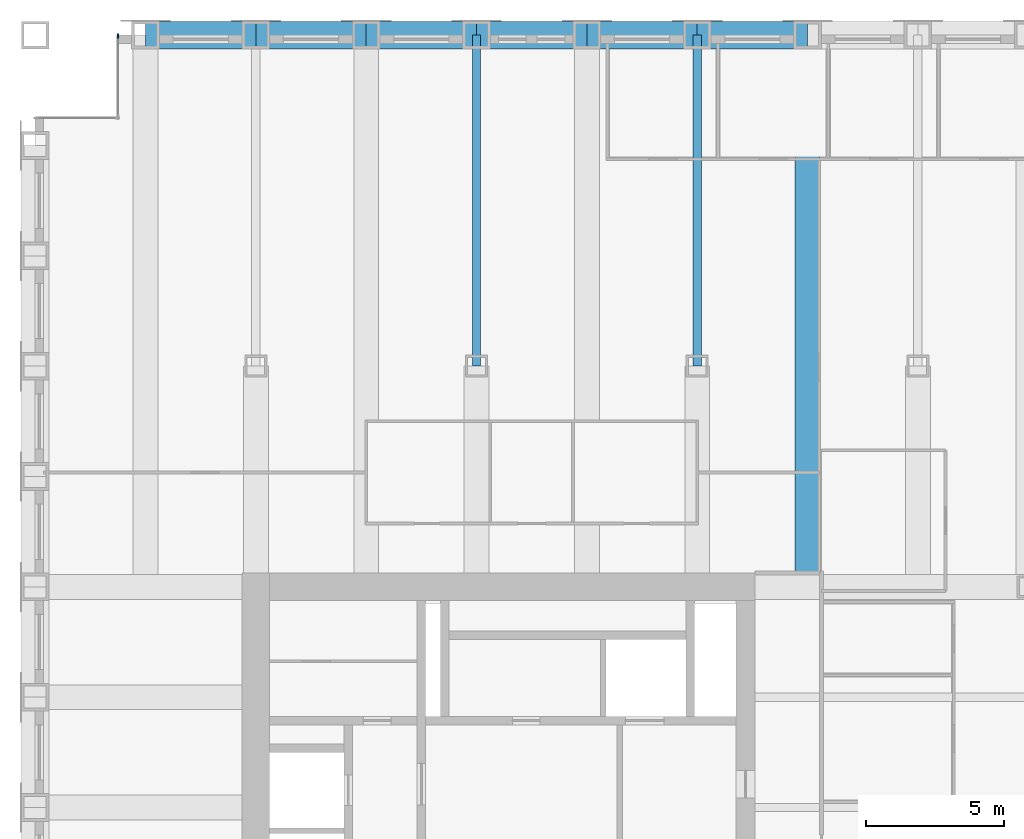
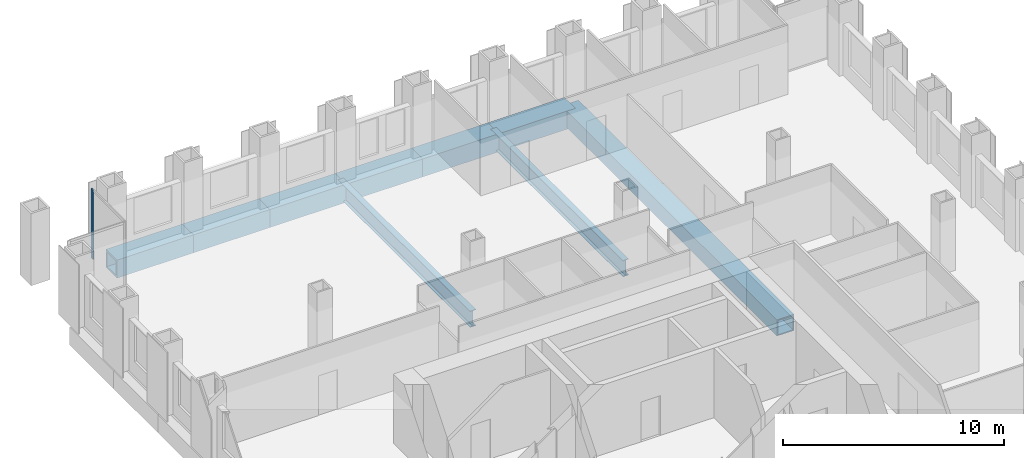
# One storey, part 6 of 13: 9 beams, 1 member, 1 element without a shape of its own.
"""IFC4 building model written with IfcOpenShell, lengths in metres."""

from ifc_helpers import new_model, si_unit, direction, frame, origin, origin_2d, place, context, subcontext, project, spatial, rectangle, hollow_rectangle, i_section, extrude, material, material_profile, profile_set, type_object, element, aggregate, save


model = new_model("IFC4")

# Units and contexts
model_context = context("Model", 3, precision=1e-05, world=origin(), true_north=direction((0.0, 1.0)))
body_context = subcontext(model_context, "Body", "Model", "MODEL_VIEW")
ifc_project = project(units=[si_unit("LENGTHUNIT", "METRE"), si_unit("AREAUNIT", "SQUARE_METRE"), si_unit("VOLUMEUNIT", "CUBIC_METRE"), si_unit("PLANEANGLEUNIT", "RADIAN"), si_unit("MASSUNIT", "GRAM", prefix="KILO")], contexts=[model_context])

# Site, building, storey
site_placement = place(None, origin())
site = spatial("IfcSite", under=ifc_project, at=site_placement, CompositionType="ELEMENT")
building_placement = place(site_placement, origin())
building = spatial("IfcBuilding", under=site, at=building_placement, Name="Rimbunsela Tower", CompositionType="ELEMENT")
storey_placement = place(building_placement, frame((0.0, 0.0, 214.199951171875)))
storey = spatial("IfcBuildingStorey", under=building, at=storey_placement, Name="L51", CompositionType="ELEMENT", Elevation=214.199951171875)

# Beams
ifc_material_1 = material(Name="Steel BJ 55 (fy 410 MPa)", Category="steel")
ifc_material_profile_1 = material_profile(ifc_material_1, hollow_rectangle(XDim=1.0, YDim=1.0, WallThickness=0.10009765625, at=origin_2d()), Name="BOX 1000x1000x100")
ifc_profile_set_1 = profile_set([ifc_material_profile_1], Name="Steel BJ 55 (fy 410 MPa)")
beam_type_1 = type_object("IfcBeamType", Name="Beam BOX 1000x1000x100", PredefinedType="BEAM", material=ifc_profile_set_1)
for number, where, z_axis, x_axis, name in (
    (1, (14.0, 56.0, -0.64990234375), (1.0, 0.0, 0.0), (0.0, 1.0, 0.0), "Beam B3 L51"),
    (2, (18.0, 56.0, -0.64990234375), (1.0, 0.0, 0.0), (0.0, 1.0, 0.0), "Beam B3 L51"),
    (3, (22.0, 56.0, -0.64990234375), (1.0, 0.0, 0.0), (0.0, 1.0, 0.0), "Beam B3 L51"),
    (4, (26.0, 56.0, -0.64990234375), (1.0, 0.0, 0.0), (0.0, 1.0, 0.0), "Beam B3 L51"),
    (5, (30.0, 56.0, -0.64990234375), (1.0, 0.0, 0.0), (0.0, 1.0, 0.0), "Beam B3 L51"),
    (6, (34.0, 56.0, -0.64990234375), (1.0, 0.0, 0.0), (0.0, 1.0, 0.0), "Beam B3 L51"),
):
    element("IfcBeam", number, at=place(storey_placement, frame(where, z_axis=z_axis, x_axis=x_axis)), inside=storey, type_object=beam_type_1, Name=name, PredefinedType="BEAM", context=body_context, shape_type="SweptSolid", body=[
        extrude(hollow_rectangle(XDim=1.0, YDim=1.0, WallThickness=0.10009765625, at=origin_2d()), origin(), (0.0, 0.0, 1.0), 4.0),
    ])
ifc_material_2 = material(Name="Steel BJ 55 (fy 410 MPa)", Category="steel")
ifc_material_profile_2 = material_profile(ifc_material_2, hollow_rectangle(XDim=0.89990234375, YDim=0.89990234375, WallThickness=0.06005859375, at=origin_2d()), Name="BOX 900x900x60")
ifc_profile_set_2 = profile_set([ifc_material_profile_2], Name="Steel BJ 55 (fy 410 MPa)")
beam_type_2 = type_object("IfcBeamType", Name="Beam BOX 900x900x60", PredefinedType="BEAM", material=ifc_profile_set_2)
beam_placement = place(storey_placement, frame((38.0, 36.449951171875, -0.599853515625), z_axis=(0.0, 1.0, 0.0), x_axis=(-1.0, 0.0, 0.0)))
element("IfcBeam", 7, at=beam_placement, inside=storey, type_object=beam_type_2, Name="Beam B1 L51", PredefinedType="BEAM", context=body_context, shape_type="SweptSolid", body=[
    extrude(hollow_rectangle(XDim=0.89990234375, YDim=0.89990234375, WallThickness=0.06005859375, at=origin_2d()), origin(), (0.0, 0.0, 1.0), 19.550048828125),
])
ifc_material_3 = material(Name="Steel BJ 55 (fy 410 MPa)", Category="steel")
ifc_material_profile_3 = material_profile(ifc_material_3, i_section(OverallWidth=0.300048828125, OverallDepth=0.89990234375, WebThickness=0.01611328125, FlangeThickness=0.028076171875, FilletRadius=0.028076171875, at=origin_2d()), Name="H 900x300x16x28")
ifc_profile_set_3 = profile_set([ifc_material_profile_3], Name="Steel BJ 55 (fy 410 MPa)")
beam_type_3 = type_object("IfcBeamType", Name="Beam H 900x300x16x28", PredefinedType="BEAM", material=ifc_profile_set_3)
for number, where, z_axis, x_axis, name in (
    (8, (26.0, 44.0, -0.599853515625), (0.0, 1.0, 0.0), (-1.0, 0.0, 0.0), "Beam B2 L51"),
    (9, (34.0, 44.0, -0.599853515625), (0.0, 1.0, 0.0), (-1.0, 0.0, 0.0), "Beam B2 L51"),
):
    element("IfcBeam", number, at=place(storey_placement, frame(where, z_axis=z_axis, x_axis=x_axis)), inside=storey, type_object=beam_type_3, Name=name, PredefinedType="BEAM", context=body_context, shape_type="SweptSolid", body=[
        extrude(i_section(OverallWidth=0.300048828125, OverallDepth=0.89990234375, WebThickness=0.01611328125, FlangeThickness=0.028076171875, FilletRadius=0.028076171875, at=origin_2d()), origin(), (0.0, 0.0, 1.0), 12.0),
    ])

# Curtain wall, member
ifc_material_4 = material(Name="Aluminium curtain wall", Category="aluminium")
curtain_wall_type = type_object("IfcCurtainWallType", Name="Corner glazing", PredefinedType="USERDEFINED", material=ifc_material_4)
curtain_wall_placement = place(storey_placement, origin())
curtain_wall = element("IfcCurtainWall", 10, at=curtain_wall_placement, inside=storey, type_object=curtain_wall_type, Name="Corner glazing L51", ObjectType="CORNER GLAZING", PredefinedType="USERDEFINED")
ifc_material_5 = material(Name="Aluminium mullion", Category="aluminium")
ifc_material_profile_4 = material_profile(ifc_material_5, rectangle(XDim=0.06005859375, YDim=0.159912109375, at=origin_2d()), Name="Mullion 60x160")
ifc_profile_set_4 = profile_set([ifc_material_profile_4], Name="Aluminium mullion")
member_type = type_object("IfcMemberType", Name="Curtain wall mullion 60x160", PredefinedType="MULLION", material=ifc_profile_set_4)
member_placement = place(storey_placement, frame((13.0, 55.969970703125, 0.0), z_axis=(0.0, 0.0, 1.0), x_axis=(1.0, 0.0, 0.0)))
member = element("IfcMember", 11, at=member_placement, type_object=member_type, Name="CW5 mullion 1", PredefinedType="MULLION", context=body_context, shape_type="SweptSolid", body=[
    extrude(rectangle(XDim=0.06005859375, YDim=0.159912109375, at=origin_2d()), origin(), (0.0, 0.0, 1.0), 3.85009765625),
])
aggregate(curtain_wall, [member])

save(model, "model.ifc")
